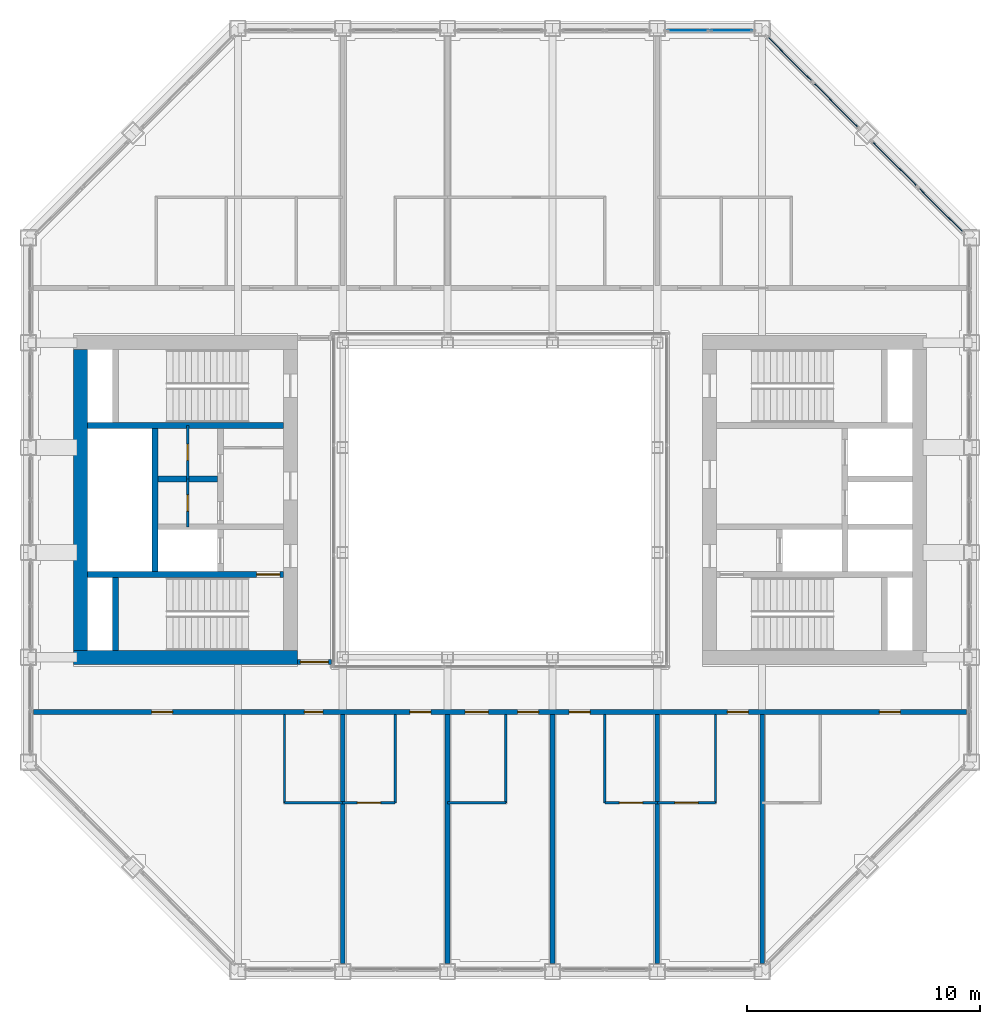
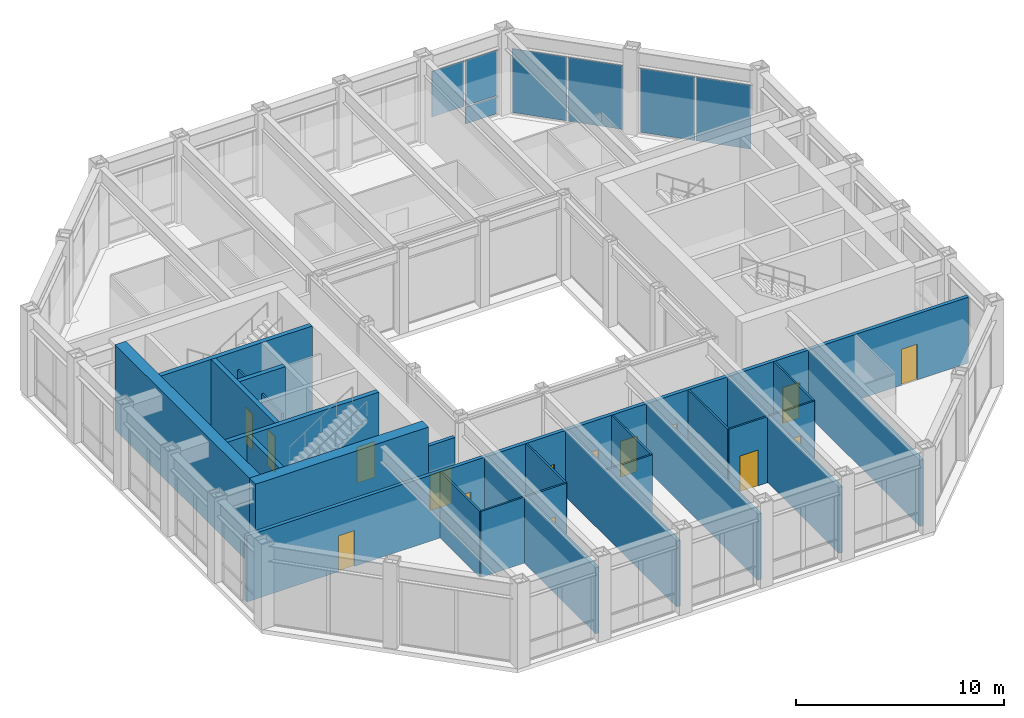
# One storey, part 11 of 15: 26 walls, 15 doors, 7 plates, 15 openings, 3 elements without a shape of their own.
"""IFC4 building model written with IfcOpenShell, lengths in metres."""

from ifc_helpers import new_model, si_unit, direction, frame, frame_2d, origin, origin_2d, place, context, subcontext, project, spatial, rectangle, extrude, material, layer, layer_set, type_object, element, fill, aggregate, save


model = new_model("IFC4")

# Units and contexts
model_context = context("Model", 3, precision=1e-05, world=origin(), true_north=direction((0.0, 1.0)))
body_context = subcontext(model_context, "Body", "Model", "MODEL_VIEW")
ifc_project = project(units=[si_unit("LENGTHUNIT", "METRE"), si_unit("AREAUNIT", "SQUARE_METRE"), si_unit("VOLUMEUNIT", "CUBIC_METRE"), si_unit("PLANEANGLEUNIT", "RADIAN"), si_unit("MASSUNIT", "GRAM", prefix="KILO")], contexts=[model_context])

# Site, building, storey
site_placement = place(None, origin())
site = spatial("IfcSite", under=ifc_project, at=site_placement, CompositionType="ELEMENT")
building_placement = place(site_placement, origin())
building = spatial("IfcBuilding", under=site, at=building_placement, Name="Msasa Ring Tower", CompositionType="ELEMENT")
storey_placement = place(building_placement, frame((0.0, 0.0, 195.800048828125)))
storey = spatial("IfcBuildingStorey", under=building, at=storey_placement, Name="L51", CompositionType="ELEMENT", Elevation=195.800048828125)

# Curtain wall, plates
ifc_material_1 = material(Name="Aluminium curtain wall with clear glass", Category="aluminium")
curtain_wall_type_1 = type_object("IfcCurtainWallType", Name="CW-C CHAMFER CORNER CURTAIN WALL", PredefinedType="NOTDEFINED", material=ifc_material_1)
curtain_wall_1_placement = place(storey_placement, origin())
curtain_wall_1 = element("IfcCurtainWall", 1, at=curtain_wall_1_placement, inside=storey, type_object=curtain_wall_type_1, Name="Chamfer corner curtain wall NE L51", PredefinedType="NOTDEFINED")
ifc_material_2 = material(Name="Clear laminated insulating glass unit", Category="glass")
ifc_layer_1 = layer(ifc_material_2, 0.031982421875)
ifc_layer_set_1 = layer_set([ifc_layer_1], Name="CW-C GLASS PANEL 32")
plate_type_1 = type_object("IfcPlateType", Name="CW-C GLASS PANEL 32", PredefinedType="CURTAIN_PANEL", material=ifc_layer_set_1)
plate_1_placement = place(storey_placement, frame((14.417236328125, 16.94140625, 0.06494140625), z_axis=(0.0, 0.0, 1.0), x_axis=(-0.707106781187, 0.707106781187, 0.0)))
plate_1 = element("IfcPlate", 2, at=plate_1_placement, type_object=plate_type_1, Name="CW-C panel 1.1", PredefinedType="CURTAIN_PANEL", context=body_context, shape_type="SweptSolid", body=[
    extrude(rectangle(XDim=2.7294921875, YDim=0.031982421875, at=origin_2d()), origin(), (0.0, 0.0, 1.0), 3.7490234375),
])
plate_2_placement = place(storey_placement, frame((12.44140625, 18.917236328125, 0.06494140625), z_axis=(0.0, 0.0, 1.0), x_axis=(-0.707106781187, 0.707106781187, 0.0)))
plate_2 = element("IfcPlate", 3, at=plate_2_placement, type_object=plate_type_1, Name="CW-C panel 2.1", PredefinedType="CURTAIN_PANEL", context=body_context, shape_type="SweptSolid", body=[
    extrude(rectangle(XDim=2.7294921875, YDim=0.031982421875, at=origin_2d()), origin(), (0.0, 0.0, 1.0), 3.7490234375),
])
aggregate(curtain_wall_1, [plate_1, plate_2])

curtain_wall_2_placement = place(storey_placement, origin())
curtain_wall_2 = element("IfcCurtainWall", 4, at=curtain_wall_2_placement, inside=storey, type_object=curtain_wall_type_1, Name="Chamfer corner curtain wall NE L51", PredefinedType="NOTDEFINED")
plate_3_placement = place(storey_placement, frame((18.917236328125, 12.44140625, 0.06494140625), z_axis=(0.0, 0.0, 1.0), x_axis=(-0.707106781187, 0.707106781187, 0.0)))
plate_3 = element("IfcPlate", 5, at=plate_3_placement, type_object=plate_type_1, Name="CW-C panel 1.1", PredefinedType="CURTAIN_PANEL", context=body_context, shape_type="SweptSolid", body=[
    extrude(rectangle(XDim=2.7294921875, YDim=0.031982421875, at=origin_2d()), origin(), (0.0, 0.0, 1.0), 3.7490234375),
])
plate_4_placement = place(storey_placement, frame((16.94140625, 14.417236328125, 0.06494140625), z_axis=(0.0, 0.0, 1.0), x_axis=(-0.707106781187, 0.707106781187, 0.0)))
plate_4 = element("IfcPlate", 6, at=plate_4_placement, type_object=plate_type_1, Name="CW-C panel 2.1", PredefinedType="CURTAIN_PANEL", context=body_context, shape_type="SweptSolid", body=[
    extrude(rectangle(XDim=2.7294921875, YDim=0.031982421875, at=origin_2d()), origin(), (0.0, 0.0, 1.0), 3.7490234375),
])
aggregate(curtain_wall_2, [plate_3, plate_4])

ifc_material_3 = material(Name="Aluminium curtain wall with clear glass", Category="aluminium")
curtain_wall_type_2 = type_object("IfcCurtainWallType", Name="CW-S SKY LOBBY CURTAIN WALL", PredefinedType="NOTDEFINED", material=ifc_material_3)
curtain_wall_3_placement = place(storey_placement, origin())
curtain_wall_3 = element("IfcCurtainWall", 7, at=curtain_wall_3_placement, inside=storey, type_object=curtain_wall_type_2, Name="Sky lobby curtain wall N L51", PredefinedType="NOTDEFINED")
ifc_material_4 = material(Name="Clear laminated insulating glass unit", Category="glass")
ifc_layer_2 = layer(ifc_material_4, 0.035888671875)
ifc_layer_set_2 = layer_set([ifc_layer_2], Name="CW-S GLASS PANEL 36")
plate_type_2 = type_object("IfcPlateType", Name="CW-S GLASS PANEL 36", PredefinedType="CURTAIN_PANEL", material=ifc_layer_set_2)
plate_5_placement = place(storey_placement, frame((8.0712890625, 20.14990234375, 1.137451171875), z_axis=(0.0, 0.0, 1.0), x_axis=(1.0, 0.0, 0.0)))
plate_5 = element("IfcPlate", 8, at=plate_5_placement, type_object=plate_type_2, Name="CW-S panel 1.2", PredefinedType="CURTAIN_PANEL", context=body_context, shape_type="SweptSolid", body=[
    extrude(rectangle(XDim=1.782470703125, YDim=0.035888671875, at=origin_2d()), origin(), (0.0, 0.0, 1.0), 2.66650390625),
])
plate_6_placement = place(storey_placement, frame((9.9287109375, 20.14990234375, 0.07470703125), z_axis=(0.0, 0.0, 1.0), x_axis=(1.0, 0.0, 0.0)))
plate_6 = element("IfcPlate", 9, at=plate_6_placement, type_object=plate_type_2, Name="CW-S panel 2.1", PredefinedType="CURTAIN_PANEL", context=body_context, shape_type="SweptSolid", body=[
    extrude(rectangle(XDim=1.782470703125, YDim=0.035888671875, at=origin_2d()), origin(), (0.0, 0.0, 1.0), 0.987548828125),
])
plate_7_placement = place(storey_placement, frame((9.9287109375, 20.14990234375, 1.137451171875), z_axis=(0.0, 0.0, 1.0), x_axis=(1.0, 0.0, 0.0)))
plate_7 = element("IfcPlate", 10, at=plate_7_placement, type_object=plate_type_2, Name="CW-S panel 2.2", PredefinedType="CURTAIN_PANEL", context=body_context, shape_type="SweptSolid", body=[
    extrude(rectangle(XDim=1.782470703125, YDim=0.035888671875, at=origin_2d()), origin(), (0.0, 0.0, 1.0), 2.66650390625),
])
aggregate(curtain_wall_3, [plate_5, plate_6, plate_7])

# Walls
ifc_material_5 = material(Name="Concrete C60/75", Category="concrete")
ifc_layer_3 = layer(ifc_material_5, 0.60009765625)
ifc_layer_set_3 = layer_set([ifc_layer_3], Name="CW3 CORE WALL 600")
wall_type_1 = type_object("IfcWallType", Name="CW3 CORE WALL 600", PredefinedType="SHEAR", material=ifc_layer_set_3)
wall_1_placement = place(storey_placement, frame((-8.699951171875, -6.75, 0.0), z_axis=(0.0, 0.0, 1.0), x_axis=(-1.0, 0.0, 0.0)))
element("IfcWall", 11, at=wall_1_placement, inside=storey, type_object=wall_type_1, Name="W core wall S L51", PredefinedType="SHEAR", context=body_context, shape_type="SweptSolid", body=[
    extrude(rectangle(XDim=9.60009765625, YDim=0.60009765625, at=frame_2d((4.800048828125, 0.0))), origin(), (0.0, 0.0, 1.0), 5.0),
])
wall_2_placement = place(storey_placement, frame((-18.0, -6.449951171875, 0.0), z_axis=(0.0, 0.0, 1.0), x_axis=(0.0, 1.0, 0.0)))
element("IfcWall", 12, at=wall_2_placement, inside=storey, type_object=wall_type_1, Name="W core wall E L51", PredefinedType="SHEAR", context=body_context, shape_type="SweptSolid", body=[
    extrude(rectangle(XDim=12.89990234375, YDim=0.60009765625, at=frame_2d((6.449951171875, 0.0))), origin(), (0.0, 0.0, 1.0), 5.0),
])

# Wall, opening, door
ifc_material_6 = material(Name="Concrete C60/75", Category="concrete")
ifc_layer_4 = layer(ifc_material_6, 0.25)
ifc_layer_set_4 = layer_set([ifc_layer_4], Name="CW4 CORE INNER WALL 250")
wall_type_2 = type_object("IfcWallType", Name="CW4 CORE INNER WALL 250", PredefinedType="SHEAR", material=ifc_layer_set_4)
wall_3_placement = place(storey_placement, frame((-9.300048828125, -3.199951171875, 0.0), z_axis=(0.0, 0.0, 1.0), x_axis=(-1.0, 0.0, 0.0)))
wall_3 = element("IfcWall", 13, at=wall_3_placement, inside=storey, type_object=wall_type_2, Name="W core wall STAIRA L51", PredefinedType="SHEAR", context=body_context, shape_type="SweptSolid", body=[
    extrude(rectangle(XDim=8.39990234375, YDim=0.25, at=frame_2d((4.199951171875, 0.0))), origin(), (0.0, 0.0, 1.0), 5.0),
])
opening_1_placement = place(wall_3_placement, frame((0.14990234375, 0.0, 0.0)))
opening_1 = element("IfcOpeningElement", 14, at=opening_1_placement, cuts=wall_3, Name="Opening L51-025", PredefinedType="OPENING", context=body_context, shape_type="SweptSolid", body=[
    extrude(rectangle(XDim=1.0, YDim=2.10009765625, at=frame_2d((0.5, 1.050048828125))), frame((0.0, 0.135009765625, 0.0), z_axis=(0.0, -1.0, 0.0), x_axis=(1.0, 0.0, 0.0)), (0.0, 0.0, 1.0), 0.27001953125),
])
ifc_material_7 = material(Name="Timber door leaf in a steel frame", Category="steel")
door_type_1 = type_object("IfcDoorType", Name="D6 STAIR DOOR 1000x2100", OperationType="SINGLE_SWING_LEFT", PredefinedType="DOOR", material=ifc_material_7)
door_1_placement = place(opening_1_placement, origin())
door_1 = element("IfcDoor", 15, at=door_1_placement, inside=storey, type_object=door_type_1, Name="Door L51-WSTA", OperationType="SINGLE_SWING_LEFT", OverallHeight=2.10009765625, OverallWidth=1.0, PredefinedType="DOOR", context=body_context, shape_type="SweptSolid", body=[
    extrude(rectangle(XDim=1.0, YDim=2.10009765625, at=frame_2d((0.5, 1.050048828125))), frame((0.0, 0.02490234375, 0.0), z_axis=(0.0, -1.0, 0.0), x_axis=(1.0, 0.0, 0.0)), (0.0, 0.0, 1.0), 0.050048828125),
])
fill(opening_1, door_1)

# Walls
wall_4_placement = place(storey_placement, frame((-9.300048828125, 3.199951171875, 0.0), z_axis=(0.0, 0.0, 1.0), x_axis=(-1.0, 0.0, 0.0)))
element("IfcWall", 16, at=wall_4_placement, inside=storey, type_object=wall_type_2, Name="W core wall STAIRB L51", PredefinedType="SHEAR", context=body_context, shape_type="SweptSolid", body=[
    extrude(rectangle(XDim=8.39990234375, YDim=0.25, at=frame_2d((4.199951171875, 0.0))), origin(), (0.0, 0.0, 1.0), 5.0),
])
wall_5_placement = place(storey_placement, frame((-16.5, -6.449951171875, 0.0), z_axis=(0.0, 0.0, 1.0), x_axis=(0.0, 1.0, 0.0)))
element("IfcWall", 17, at=wall_5_placement, inside=storey, type_object=wall_type_2, Name="W core wall RISERA L51", PredefinedType="SHEAR", context=body_context, shape_type="SweptSolid", body=[
    extrude(rectangle(XDim=3.125, YDim=0.25, at=frame_2d((1.5625, 0.0))), origin(), (0.0, 0.0, 1.0), 5.0),
])
wall_6_placement = place(storey_placement, frame((-14.800048828125, -3.074951171875, 0.0), z_axis=(0.0, 0.0, 1.0), x_axis=(0.0, 1.0, 0.0)))
element("IfcWall", 18, at=wall_6_placement, inside=storey, type_object=wall_type_2, Name="W core wall SHAFT L51", PredefinedType="SHEAR", context=body_context, shape_type="SweptSolid", body=[
    extrude(rectangle(XDim=6.14990234375, YDim=0.25, at=frame_2d((3.074951171875, 0.0))), origin(), (0.0, 0.0, 1.0), 5.0),
])
wall_7_placement = place(storey_placement, frame((-12.125, 0.89990234375, 0.0), z_axis=(0.0, 0.0, 1.0), x_axis=(-1.0, 0.0, 0.0)))
element("IfcWall", 19, at=wall_7_placement, inside=storey, type_object=wall_type_2, Name="W core wall LIFT1 L51", PredefinedType="SHEAR", context=body_context, shape_type="SweptSolid", body=[
    extrude(rectangle(XDim=2.550048828125, YDim=0.25, at=frame_2d((1.27490234375, 0.0))), origin(), (0.0, 0.0, 1.0), 5.0),
])

# Wall, opening, door
ifc_material_8 = material(Name="Concrete blockwork", Category="masonry")
ifc_layer_5 = layer(ifc_material_8, 0.199951171875)
ifc_layer_set_5 = layer_set([ifc_layer_5], Name="PT1 CORRIDOR WALL 200")
wall_type_3 = type_object("IfcWallType", Name="PT1 CORRIDOR WALL 200", PredefinedType="PARTITIONING", material=ifc_layer_set_5)
wall_8_placement = place(storey_placement, frame((-8.699951171875, -6.949951171875, 0.0), z_axis=(0.0, 0.0, 1.0), x_axis=(1.0, 0.0, 0.0)))
wall_8 = element("IfcWall", 20, at=wall_8_placement, inside=storey, type_object=wall_type_3, Name="Corridor wall L51-SDWS", PredefinedType="PARTITIONING", context=body_context, shape_type="SweptSolid", body=[
    extrude(rectangle(XDim=1.469970703125, YDim=0.199951171875, at=frame_2d((0.73486328125, 0.0))), origin(), (0.0, 0.0, 1.0), 3.873291015625),
])
opening_2_placement = place(wall_8_placement, frame((0.135009765625, 0.0, 0.0)))
opening_2 = element("IfcOpeningElement", 21, at=opening_2_placement, cuts=wall_8, Name="Opening L51-027", PredefinedType="OPENING", context=body_context, shape_type="SweptSolid", body=[
    extrude(rectangle(XDim=1.199951171875, YDim=2.10009765625, at=frame_2d((0.60009765625, 1.050048828125))), frame((0.0, 0.10986328125, 0.0), z_axis=(0.0, -1.0, 0.0), x_axis=(1.0, 0.0, 0.0)), (0.0, 0.0, 1.0), 0.219970703125),
])
ifc_material_9 = material(Name="Timber door leaf in a steel frame", Category="steel")
door_type_2 = type_object("IfcDoorType", Name="D25 CORRIDOR PAIR OF SMOKE DOORS 1200x2100", OperationType="DOUBLE_DOOR_DOUBLE_SWING", PredefinedType="DOOR", material=ifc_material_9)
door_2_placement = place(opening_2_placement, origin())
door_2 = element("IfcDoor", 22, at=door_2_placement, inside=storey, type_object=door_type_2, Name="Door L51-SDWS", OperationType="DOUBLE_DOOR_DOUBLE_SWING", OverallHeight=2.10009765625, OverallWidth=1.199951171875, PredefinedType="DOOR", context=body_context, shape_type="SweptSolid", body=[
    extrude(rectangle(XDim=1.199951171875, YDim=2.10009765625, at=frame_2d((0.60009765625, 1.050048828125))), frame((0.0, 0.02490234375, 0.0), z_axis=(0.0, -1.0, 0.0), x_axis=(1.0, 0.0, 0.0)), (0.0, 0.0, 1.0), 0.050048828125),
])
fill(opening_2, door_2)

# Wall, openings, doors
wall_9_placement = place(storey_placement, frame((-20.02490234375, -9.10009765625, 0.0), z_axis=(0.0, 0.0, 1.0), x_axis=(1.0, 0.0, 0.0)))
wall_9 = element("IfcWall", 23, at=wall_9_placement, inside=storey, type_object=wall_type_3, Name="Corridor wall L51-CORRS0", PredefinedType="PARTITIONING", context=body_context, shape_type="SweptSolid", body=[
    extrude(rectangle(XDim=40.0498046875, YDim=0.199951171875, at=frame_2d((20.02490234375, 0.0))), origin(), (0.0, 0.0, 1.0), 3.873291015625),
])
opening_3_placement = place(wall_9_placement, frame((5.0791015625, 0.0, 0.0)))
opening_3 = element("IfcOpeningElement", 24, at=opening_3_placement, cuts=wall_9, Name="Opening L51-028", PredefinedType="OPENING", context=body_context, shape_type="SweptSolid", body=[
    extrude(rectangle(XDim=0.89990234375, YDim=2.10009765625, at=frame_2d((0.449951171875, 1.050048828125))), frame((0.0, 0.10986328125, 0.0), z_axis=(0.0, -1.0, 0.0), x_axis=(1.0, 0.0, 0.0)), (0.0, 0.0, 1.0), 0.219970703125),
])
opening_4_placement = place(wall_9_placement, frame((11.625, 0.0, 0.0)))
opening_4 = element("IfcOpeningElement", 25, at=opening_4_placement, cuts=wall_9, Name="Opening L51-029", PredefinedType="OPENING", context=body_context, shape_type="SweptSolid", body=[
    extrude(rectangle(XDim=0.800048828125, YDim=2.10009765625, at=frame_2d((0.39990234375, 1.050048828125))), frame((0.0, 0.10986328125, 0.0), z_axis=(0.0, -1.0, 0.0), x_axis=(1.0, 0.0, 0.0)), (0.0, 0.0, 1.0), 0.219970703125),
])
opening_5_placement = place(wall_9_placement, frame((16.16064453125, 0.0, 0.0)))
opening_5 = element("IfcOpeningElement", 26, at=opening_5_placement, cuts=wall_9, Name="Opening L51-030", PredefinedType="OPENING", context=body_context, shape_type="SweptSolid", body=[
    extrude(rectangle(XDim=0.89990234375, YDim=2.10009765625, at=frame_2d((0.449951171875, 1.050048828125))), frame((0.0, 0.10986328125, 0.0), z_axis=(0.0, -1.0, 0.0), x_axis=(1.0, 0.0, 0.0)), (0.0, 0.0, 1.0), 0.219970703125),
])
opening_6_placement = place(wall_9_placement, frame((20.779052734375, 0.0, 0.0)))
opening_6 = element("IfcOpeningElement", 27, at=opening_6_placement, cuts=wall_9, Name="Opening L51-032", PredefinedType="OPENING", context=body_context, shape_type="SweptSolid", body=[
    extrude(rectangle(XDim=0.89990234375, YDim=2.10009765625, at=frame_2d((0.449951171875, 1.050048828125))), frame((0.0, 0.10986328125, 0.0), z_axis=(0.0, -1.0, 0.0), x_axis=(1.0, 0.0, 0.0)), (0.0, 0.0, 1.0), 0.219970703125),
])
opening_7_placement = place(wall_9_placement, frame((18.52490234375, 0.0, 0.0)))
opening_7 = element("IfcOpeningElement", 28, at=opening_7_placement, cuts=wall_9, Name="Opening L51-031", PredefinedType="OPENING", context=body_context, shape_type="SweptSolid", body=[
    extrude(rectangle(XDim=1.0, YDim=2.10009765625, at=frame_2d((0.5, 1.050048828125))), frame((0.0, 0.10986328125, 0.0), z_axis=(0.0, -1.0, 0.0), x_axis=(1.0, 0.0, 0.0)), (0.0, 0.0, 1.0), 0.219970703125),
])
opening_8_placement = place(wall_9_placement, frame((22.9892578125, 0.0, 0.0)))
opening_8 = element("IfcOpeningElement", 29, at=opening_8_placement, cuts=wall_9, Name="Opening L51-033", PredefinedType="OPENING", context=body_context, shape_type="SweptSolid", body=[
    extrude(rectangle(XDim=0.89990234375, YDim=2.10009765625, at=frame_2d((0.449951171875, 1.050048828125))), frame((0.0, 0.10986328125, 0.0), z_axis=(0.0, -1.0, 0.0), x_axis=(1.0, 0.0, 0.0)), (0.0, 0.0, 1.0), 0.219970703125),
])
opening_9_placement = place(wall_9_placement, frame((29.779052734375, 0.0, 0.0)))
opening_9 = element("IfcOpeningElement", 30, at=opening_9_placement, cuts=wall_9, Name="Opening L51-034", PredefinedType="OPENING", context=body_context, shape_type="SweptSolid", body=[
    extrude(rectangle(XDim=0.89990234375, YDim=2.10009765625, at=frame_2d((0.449951171875, 1.050048828125))), frame((0.0, 0.10986328125, 0.0), z_axis=(0.0, -1.0, 0.0), x_axis=(1.0, 0.0, 0.0)), (0.0, 0.0, 1.0), 0.219970703125),
])
opening_10_placement = place(wall_9_placement, frame((36.310791015625, 0.0, 0.0)))
opening_10 = element("IfcOpeningElement", 31, at=opening_10_placement, cuts=wall_9, Name="Opening L51-035", PredefinedType="OPENING", context=body_context, shape_type="SweptSolid", body=[
    extrude(rectangle(XDim=0.89990234375, YDim=2.10009765625, at=frame_2d((0.449951171875, 1.050048828125))), frame((0.0, 0.10986328125, 0.0), z_axis=(0.0, -1.0, 0.0), x_axis=(1.0, 0.0, 0.0)), (0.0, 0.0, 1.0), 0.219970703125),
])
ifc_material_10 = material(Name="Timber door leaf in a steel frame", Category="steel")
door_type_3 = type_object("IfcDoorType", Name="D1 SINGLE DOOR TO CORRIDOR 900x2100", OperationType="SINGLE_SWING_LEFT", PredefinedType="DOOR", material=ifc_material_10)
door_3_placement = place(opening_3_placement, origin())
door_3 = element("IfcDoor", 32, at=door_3_placement, inside=storey, type_object=door_type_3, Name="Door L51-CLS0F0", OperationType="SINGLE_SWING_LEFT", OverallHeight=2.10009765625, OverallWidth=0.89990234375, PredefinedType="DOOR", context=body_context, shape_type="SweptSolid", body=[
    extrude(rectangle(XDim=0.89990234375, YDim=2.10009765625, at=frame_2d((0.449951171875, 1.050048828125))), frame((0.0, 0.02490234375, 0.0), z_axis=(0.0, -1.0, 0.0), x_axis=(1.0, 0.0, 0.0)), (0.0, 0.0, 1.0), 0.050048828125),
])
fill(opening_3, door_3)
door_4_placement = place(opening_5_placement, origin())
door_4 = element("IfcDoor", 33, at=door_4_placement, inside=storey, type_object=door_type_3, Name="Door L51-CLS1F0", OperationType="SINGLE_SWING_LEFT", OverallHeight=2.10009765625, OverallWidth=0.89990234375, PredefinedType="DOOR", context=body_context, shape_type="SweptSolid", body=[
    extrude(rectangle(XDim=0.89990234375, YDim=2.10009765625, at=frame_2d((0.449951171875, 1.050048828125))), frame((0.0, 0.02490234375, 0.0), z_axis=(0.0, -1.0, 0.0), x_axis=(1.0, 0.0, 0.0)), (0.0, 0.0, 1.0), 0.050048828125),
])
fill(opening_5, door_4)
door_5_placement = place(opening_6_placement, origin())
door_5 = element("IfcDoor", 34, at=door_5_placement, inside=storey, type_object=door_type_3, Name="Door L51-CLS2F0", OperationType="SINGLE_SWING_RIGHT", OverallHeight=2.10009765625, OverallWidth=0.89990234375, PredefinedType="DOOR", context=body_context, shape_type="SweptSolid", body=[
    extrude(rectangle(XDim=0.89990234375, YDim=2.10009765625, at=frame_2d((0.449951171875, 1.050048828125))), frame((0.0, 0.02490234375, 0.0), z_axis=(0.0, -1.0, 0.0), x_axis=(1.0, 0.0, 0.0)), (0.0, 0.0, 1.0), 0.050048828125),
])
fill(opening_6, door_5)
door_6_placement = place(opening_8_placement, origin())
door_6 = element("IfcDoor", 35, at=door_6_placement, inside=storey, type_object=door_type_3, Name="Door L51-CLS3F0", OperationType="SINGLE_SWING_RIGHT", OverallHeight=2.10009765625, OverallWidth=0.89990234375, PredefinedType="DOOR", context=body_context, shape_type="SweptSolid", body=[
    extrude(rectangle(XDim=0.89990234375, YDim=2.10009765625, at=frame_2d((0.449951171875, 1.050048828125))), frame((0.0, 0.02490234375, 0.0), z_axis=(0.0, -1.0, 0.0), x_axis=(1.0, 0.0, 0.0)), (0.0, 0.0, 1.0), 0.050048828125),
])
fill(opening_8, door_6)
door_7_placement = place(opening_9_placement, origin())
door_7 = element("IfcDoor", 36, at=door_7_placement, inside=storey, type_object=door_type_3, Name="Door L51-CLS4F0", OperationType="SINGLE_SWING_RIGHT", OverallHeight=2.10009765625, OverallWidth=0.89990234375, PredefinedType="DOOR", context=body_context, shape_type="SweptSolid", body=[
    extrude(rectangle(XDim=0.89990234375, YDim=2.10009765625, at=frame_2d((0.449951171875, 1.050048828125))), frame((0.0, 0.02490234375, 0.0), z_axis=(0.0, -1.0, 0.0), x_axis=(1.0, 0.0, 0.0)), (0.0, 0.0, 1.0), 0.050048828125),
])
fill(opening_9, door_7)
door_8_placement = place(opening_10_placement, origin())
door_8 = element("IfcDoor", 37, at=door_8_placement, inside=storey, type_object=door_type_3, Name="Door L51-CLS5F0", OperationType="SINGLE_SWING_RIGHT", OverallHeight=2.10009765625, OverallWidth=0.89990234375, PredefinedType="DOOR", context=body_context, shape_type="SweptSolid", body=[
    extrude(rectangle(XDim=0.89990234375, YDim=2.10009765625, at=frame_2d((0.449951171875, 1.050048828125))), frame((0.0, 0.02490234375, 0.0), z_axis=(0.0, -1.0, 0.0), x_axis=(1.0, 0.0, 0.0)), (0.0, 0.0, 1.0), 0.050048828125),
])
fill(opening_10, door_8)
ifc_material_11 = material(Name="Timber door leaf in a steel frame", Category="steel")
door_type_4 = type_object("IfcDoorType", Name="D11 NARROW STORE DOOR 800x2100", OperationType="SINGLE_SWING_LEFT", PredefinedType="DOOR", material=ifc_material_11)
door_9_placement = place(opening_4_placement, origin())
door_9 = element("IfcDoor", 38, at=door_9_placement, inside=storey, type_object=door_type_4, Name="Door L51-CLS0B0", OperationType="SINGLE_SWING_LEFT", OverallHeight=2.10009765625, OverallWidth=0.800048828125, PredefinedType="DOOR", context=body_context, shape_type="SweptSolid", body=[
    extrude(rectangle(XDim=0.800048828125, YDim=2.10009765625, at=frame_2d((0.39990234375, 1.050048828125))), frame((0.0, 0.02490234375, 0.0), z_axis=(0.0, -1.0, 0.0), x_axis=(1.0, 0.0, 0.0)), (0.0, 0.0, 1.0), 0.050048828125),
])
fill(opening_4, door_9)
ifc_material_12 = material(Name="Timber door leaf in a steel frame", Category="steel")
door_type_5 = type_object("IfcDoorType", Name="D12 WC DOOR 1000x2100", OperationType="SINGLE_SWING_LEFT", PredefinedType="DOOR", material=ifc_material_12)
door_10_placement = place(opening_7_placement, origin())
door_10 = element("IfcDoor", 39, at=door_10_placement, inside=storey, type_object=door_type_5, Name="Door L51-CLS2B0", OperationType="SINGLE_SWING_LEFT", OverallHeight=2.10009765625, OverallWidth=1.0, PredefinedType="DOOR", context=body_context, shape_type="SweptSolid", body=[
    extrude(rectangle(XDim=1.0, YDim=2.10009765625, at=frame_2d((0.5, 1.050048828125))), frame((0.0, 0.02490234375, 0.0), z_axis=(0.0, -1.0, 0.0), x_axis=(1.0, 0.0, 0.0)), (0.0, 0.0, 1.0), 0.050048828125),
])
fill(opening_7, door_10)

# Walls
ifc_material_13 = material(Name="Gypsum board on steel studs", Category="steel")
ifc_layer_6 = layer(ifc_material_13, 0.10009765625)
ifc_layer_set_6 = layer_set([ifc_layer_6], Name="PT2 STUD PARTITION 100")
wall_type_4 = type_object("IfcWallType", Name="PT2 STUD PARTITION 100", PredefinedType="PARTITIONING", material=ifc_layer_set_6)
wall_10_placement = place(storey_placement, frame((-9.25, -13.0, 0.0), z_axis=(0.0, 0.0, 1.0), x_axis=(1.0, 0.0, 0.0)))
element("IfcWall", 40, at=wall_10_placement, inside=storey, type_object=wall_type_4, Name="Partition L51-CLS0X0", PredefinedType="PARTITIONING", context=body_context, shape_type="SweptSolid", body=[
    extrude(rectangle(XDim=2.5, YDim=0.10009765625, at=frame_2d((1.25, 0.0))), origin(), (0.0, 0.0, 1.0), 3.873291015625),
])
wall_11_placement = place(storey_placement, frame((-9.25, -13.0, 0.0), z_axis=(0.0, 0.0, 1.0), x_axis=(0.0, 1.0, 0.0)))
element("IfcWall", 41, at=wall_11_placement, inside=storey, type_object=wall_type_4, Name="Partition L51-CLS0Y0", PredefinedType="PARTITIONING", context=body_context, shape_type="SweptSolid", body=[
    extrude(rectangle(XDim=3.800048828125, YDim=0.10009765625, at=frame_2d((1.89990234375, 0.0))), origin(), (0.0, 0.0, 1.0), 3.873291015625),
])

# Wall, opening, door
wall_12_placement = place(storey_placement, frame((-6.75, -13.0, 0.0), z_axis=(0.0, 0.0, 1.0), x_axis=(1.0, 0.0, 0.0)))
wall_12 = element("IfcWall", 42, at=wall_12_placement, inside=storey, type_object=wall_type_4, Name="Partition L51-CLS1X0", PredefinedType="PARTITIONING", context=body_context, shape_type="SweptSolid", body=[
    extrude(rectangle(XDim=2.25, YDim=0.10009765625, at=frame_2d((1.125, 0.0))), origin(), (0.0, 0.0, 1.0), 3.873291015625),
])
opening_11_placement = place(wall_12_placement, frame((0.625, 0.0, 0.0)))
opening_11 = element("IfcOpeningElement", 43, at=opening_11_placement, cuts=wall_12, Name="Opening L51-036", PredefinedType="OPENING", context=body_context, shape_type="SweptSolid", body=[
    extrude(rectangle(XDim=1.0, YDim=2.10009765625, at=frame_2d((0.5, 1.050048828125))), frame((0.0, 0.06005859375, 0.0), z_axis=(0.0, -1.0, 0.0), x_axis=(1.0, 0.0, 0.0)), (0.0, 0.0, 1.0), 0.1201171875),
])
door_11_placement = place(opening_11_placement, origin())
door_11 = element("IfcDoor", 44, at=door_11_placement, inside=storey, type_object=door_type_5, Name="Door L51-CLS1B0", OperationType="SINGLE_SWING_LEFT", OverallHeight=2.10009765625, OverallWidth=1.0, PredefinedType="DOOR", context=body_context, shape_type="SweptSolid", body=[
    extrude(rectangle(XDim=1.0, YDim=2.10009765625, at=frame_2d((0.5, 1.050048828125))), frame((0.0, 0.02490234375, 0.0), z_axis=(0.0, -1.0, 0.0), x_axis=(1.0, 0.0, 0.0)), (0.0, 0.0, 1.0), 0.050048828125),
])
fill(opening_11, door_11)

# Walls
wall_13_placement = place(storey_placement, frame((-4.5, -13.0, 0.0), z_axis=(0.0, 0.0, 1.0), x_axis=(0.0, 1.0, 0.0)))
element("IfcWall", 45, at=wall_13_placement, inside=storey, type_object=wall_type_4, Name="Partition L51-CLS1Y0", PredefinedType="PARTITIONING", context=body_context, shape_type="SweptSolid", body=[
    extrude(rectangle(XDim=3.800048828125, YDim=0.10009765625, at=frame_2d((1.89990234375, 0.0))), origin(), (0.0, 0.0, 1.0), 3.873291015625),
])
wall_14_placement = place(storey_placement, frame((-2.25, -13.0, 0.0), z_axis=(0.0, 0.0, 1.0), x_axis=(1.0, 0.0, 0.0)))
element("IfcWall", 46, at=wall_14_placement, inside=storey, type_object=wall_type_4, Name="Partition L51-CLS2X0", PredefinedType="PARTITIONING", context=body_context, shape_type="SweptSolid", body=[
    extrude(rectangle(XDim=2.5, YDim=0.10009765625, at=frame_2d((1.25, 0.0))), origin(), (0.0, 0.0, 1.0), 3.873291015625),
])
wall_15_placement = place(storey_placement, frame((0.25, -13.0, 0.0), z_axis=(0.0, 0.0, 1.0), x_axis=(0.0, 1.0, 0.0)))
element("IfcWall", 47, at=wall_15_placement, inside=storey, type_object=wall_type_4, Name="Partition L51-CLS2Y0", PredefinedType="PARTITIONING", context=body_context, shape_type="SweptSolid", body=[
    extrude(rectangle(XDim=3.800048828125, YDim=0.10009765625, at=frame_2d((1.89990234375, 0.0))), origin(), (0.0, 0.0, 1.0), 3.873291015625),
])

# Wall, opening, door
wall_16_placement = place(storey_placement, frame((4.5, -13.0, 0.0), z_axis=(0.0, 0.0, 1.0), x_axis=(1.0, 0.0, 0.0)))
wall_16 = element("IfcWall", 48, at=wall_16_placement, inside=storey, type_object=wall_type_4, Name="Partition L51-CLS3X0", PredefinedType="PARTITIONING", context=body_context, shape_type="SweptSolid", body=[
    extrude(rectangle(XDim=2.25, YDim=0.10009765625, at=frame_2d((1.125, 0.0))), origin(), (0.0, 0.0, 1.0), 3.873291015625),
])
opening_12_placement = place(wall_16_placement, frame((0.625, 0.0, 0.0)))
opening_12 = element("IfcOpeningElement", 49, at=opening_12_placement, cuts=wall_16, Name="Opening L51-037", PredefinedType="OPENING", context=body_context, shape_type="SweptSolid", body=[
    extrude(rectangle(XDim=1.0, YDim=2.10009765625, at=frame_2d((0.5, 1.050048828125))), frame((0.0, 0.06005859375, 0.0), z_axis=(0.0, -1.0, 0.0), x_axis=(1.0, 0.0, 0.0)), (0.0, 0.0, 1.0), 0.1201171875),
])
door_12_placement = place(opening_12_placement, origin())
door_12 = element("IfcDoor", 50, at=door_12_placement, inside=storey, type_object=door_type_5, Name="Door L51-CLS3B0", OperationType="SINGLE_SWING_LEFT", OverallHeight=2.10009765625, OverallWidth=1.0, PredefinedType="DOOR", context=body_context, shape_type="SweptSolid", body=[
    extrude(rectangle(XDim=1.0, YDim=2.10009765625, at=frame_2d((0.5, 1.050048828125))), frame((0.0, 0.02490234375, 0.0), z_axis=(0.0, -1.0, 0.0), x_axis=(1.0, 0.0, 0.0)), (0.0, 0.0, 1.0), 0.050048828125),
])
fill(opening_12, door_12)

# Wall
wall_17_placement = place(storey_placement, frame((4.5, -13.0, 0.0), z_axis=(0.0, 0.0, 1.0), x_axis=(0.0, 1.0, 0.0)))
element("IfcWall", 51, at=wall_17_placement, inside=storey, type_object=wall_type_4, Name="Partition L51-CLS3Y0", PredefinedType="PARTITIONING", context=body_context, shape_type="SweptSolid", body=[
    extrude(rectangle(XDim=3.800048828125, YDim=0.10009765625, at=frame_2d((1.89990234375, 0.0))), origin(), (0.0, 0.0, 1.0), 3.873291015625),
])

# Wall, opening, door
wall_18_placement = place(storey_placement, frame((6.75, -13.0, 0.0), z_axis=(0.0, 0.0, 1.0), x_axis=(1.0, 0.0, 0.0)))
wall_18 = element("IfcWall", 52, at=wall_18_placement, inside=storey, type_object=wall_type_4, Name="Partition L51-CLS4X0", PredefinedType="PARTITIONING", context=body_context, shape_type="SweptSolid", body=[
    extrude(rectangle(XDim=2.5, YDim=0.10009765625, at=frame_2d((1.25, 0.0))), origin(), (0.0, 0.0, 1.0), 3.873291015625),
])
opening_13_placement = place(wall_18_placement, frame((0.75, 0.0, 0.0)))
opening_13 = element("IfcOpeningElement", 53, at=opening_13_placement, cuts=wall_18, Name="Opening L51-038", PredefinedType="OPENING", context=body_context, shape_type="SweptSolid", body=[
    extrude(rectangle(XDim=1.0, YDim=2.10009765625, at=frame_2d((0.5, 1.050048828125))), frame((0.0, 0.06005859375, 0.0), z_axis=(0.0, -1.0, 0.0), x_axis=(1.0, 0.0, 0.0)), (0.0, 0.0, 1.0), 0.1201171875),
])
door_13_placement = place(opening_13_placement, origin())
door_13 = element("IfcDoor", 54, at=door_13_placement, inside=storey, type_object=door_type_5, Name="Door L51-CLS4B0", OperationType="SINGLE_SWING_LEFT", OverallHeight=2.10009765625, OverallWidth=1.0, PredefinedType="DOOR", context=body_context, shape_type="SweptSolid", body=[
    extrude(rectangle(XDim=1.0, YDim=2.10009765625, at=frame_2d((0.5, 1.050048828125))), frame((0.0, 0.02490234375, 0.0), z_axis=(0.0, -1.0, 0.0), x_axis=(1.0, 0.0, 0.0)), (0.0, 0.0, 1.0), 0.050048828125),
])
fill(opening_13, door_13)

# Wall
wall_19_placement = place(storey_placement, frame((9.25, -13.0, 0.0), z_axis=(0.0, 0.0, 1.0), x_axis=(0.0, 1.0, 0.0)))
element("IfcWall", 55, at=wall_19_placement, inside=storey, type_object=wall_type_4, Name="Partition L51-CLS4Y0", PredefinedType="PARTITIONING", context=body_context, shape_type="SweptSolid", body=[
    extrude(rectangle(XDim=3.800048828125, YDim=0.10009765625, at=frame_2d((1.89990234375, 0.0))), origin(), (0.0, 0.0, 1.0), 3.873291015625),
])

# Wall, opening, door
wall_20_placement = place(storey_placement, frame((-13.39990234375, -1.14990234375, 0.0), z_axis=(0.0, 0.0, 1.0), x_axis=(0.0, 1.0, 0.0)))
wall_20 = element("IfcWall", 56, at=wall_20_placement, inside=storey, type_object=wall_type_4, Name="Partition L51-WRP1", PredefinedType="PARTITIONING", context=body_context, shape_type="SweptSolid", body=[
    extrude(rectangle(XDim=2.0498046875, YDim=0.10009765625, at=frame_2d((1.02490234375, 0.0))), origin(), (0.0, 0.0, 1.0), 3.873291015625),
])
opening_14_placement = place(wall_20_placement, frame((0.675048828125, 0.0, 0.0)))
opening_14 = element("IfcOpeningElement", 57, at=opening_14_placement, cuts=wall_20, Name="Opening L51-021", PredefinedType="OPENING", context=body_context, shape_type="SweptSolid", body=[
    extrude(rectangle(XDim=0.699951171875, YDim=2.10009765625, at=frame_2d((0.35009765625, 1.050048828125))), frame((0.0, 0.06005859375, 0.0), z_axis=(0.0, -1.0, 0.0), x_axis=(1.0, 0.0, 0.0)), (0.0, 0.0, 1.0), 0.1201171875),
])
ifc_material_14 = material(Name="Timber door leaf in a steel frame", Category="steel")
door_type_6 = type_object("IfcDoorType", Name="D32 INTERNAL NARROW STORE DOOR 700x2100", OperationType="SINGLE_SWING_LEFT", PredefinedType="DOOR", material=ifc_material_14)
door_14_placement = place(opening_14_placement, origin())
door_14 = element("IfcDoor", 58, at=door_14_placement, inside=storey, type_object=door_type_6, Name="Door L51-WRC1", OperationType="SINGLE_SWING_LEFT", OverallHeight=2.10009765625, OverallWidth=0.699951171875, PredefinedType="DOOR", context=body_context, shape_type="SweptSolid", body=[
    extrude(rectangle(XDim=0.699951171875, YDim=2.10009765625, at=frame_2d((0.35009765625, 1.050048828125))), frame((0.0, 0.02490234375, 0.0), z_axis=(0.0, -1.0, 0.0), x_axis=(1.0, 0.0, 0.0)), (0.0, 0.0, 1.0), 0.050048828125),
])
fill(opening_14, door_14)

wall_21_placement = place(storey_placement, frame((-13.39990234375, 0.89990234375, 0.0), z_axis=(0.0, 0.0, 1.0), x_axis=(0.0, 1.0, 0.0)))
wall_21 = element("IfcWall", 59, at=wall_21_placement, inside=storey, type_object=wall_type_4, Name="Partition L51-WRP2", PredefinedType="PARTITIONING", context=body_context, shape_type="SweptSolid", body=[
    extrude(rectangle(XDim=2.300048828125, YDim=0.10009765625, at=frame_2d((1.14990234375, 0.0))), origin(), (0.0, 0.0, 1.0), 3.873291015625),
])
opening_15_placement = place(wall_21_placement, frame((0.800048828125, 0.0, 0.0)))
opening_15 = element("IfcOpeningElement", 60, at=opening_15_placement, cuts=wall_21, Name="Opening L51-017", PredefinedType="OPENING", context=body_context, shape_type="SweptSolid", body=[
    extrude(rectangle(XDim=0.699951171875, YDim=2.10009765625, at=frame_2d((0.35009765625, 1.050048828125))), frame((0.0, 0.06005859375, 0.0), z_axis=(0.0, -1.0, 0.0), x_axis=(1.0, 0.0, 0.0)), (0.0, 0.0, 1.0), 0.1201171875),
])
door_15_placement = place(opening_15_placement, origin())
door_15 = element("IfcDoor", 61, at=door_15_placement, inside=storey, type_object=door_type_6, Name="Door L51-WRC2", OperationType="SINGLE_SWING_LEFT", OverallHeight=2.10009765625, OverallWidth=0.699951171875, PredefinedType="DOOR", context=body_context, shape_type="SweptSolid", body=[
    extrude(rectangle(XDim=0.699951171875, YDim=2.10009765625, at=frame_2d((0.35009765625, 1.050048828125))), frame((0.0, 0.02490234375, 0.0), z_axis=(0.0, -1.0, 0.0), x_axis=(1.0, 0.0, 0.0)), (0.0, 0.0, 1.0), 0.050048828125),
])
fill(opening_15, door_15)

# Walls
ifc_material_15 = material(Name="Dense concrete blockwork, plastered both faces", Category="masonry")
ifc_layer_7 = layer(ifc_material_15, 0.25)
ifc_layer_set_7 = layer_set([ifc_layer_7], Name="PT3 APARTMENT SEPARATING WALL 250")
wall_type_5 = type_object("IfcWallType", Name="PT3 APARTMENT SEPARATING WALL 250", PredefinedType="PARTITIONING", material=ifc_layer_set_7)
for number, where, z_axis, x_axis, name in (
    (62, (-6.75, -19.89990234375, 0.0), (0.0, 0.0, 1.0), (0.0, 1.0, 0.0), "Party wall L51-PWS-6.75"),
    (63, (-2.25, -19.89990234375, 0.0), (0.0, 0.0, 1.0), (0.0, 1.0, 0.0), "Party wall L51-PWS-2.25"),
    (64, (2.25, -19.89990234375, 0.0), (0.0, 0.0, 1.0), (0.0, 1.0, 0.0), "Party wall L51-PWS+2.25"),
    (65, (6.75, -19.89990234375, 0.0), (0.0, 0.0, 1.0), (0.0, 1.0, 0.0), "Party wall L51-PWS+6.75"),
    (66, (11.25, -19.89990234375, 0.0), (0.0, 0.0, 1.0), (0.0, 1.0, 0.0), "Party wall L51-PWS+11.25"),
):
    element("IfcWall", number, at=place(storey_placement, frame(where, z_axis=z_axis, x_axis=x_axis)), inside=storey, type_object=wall_type_5, Name=name, PredefinedType="PARTITIONING", context=body_context, shape_type="SweptSolid", body=[
        extrude(rectangle(XDim=10.699951171875, YDim=0.199951171875, at=frame_2d((5.35009765625, 0.0))), origin(), (0.0, 0.0, 1.0), 3.873291015625),
    ])

save(model, "model.ifc")
